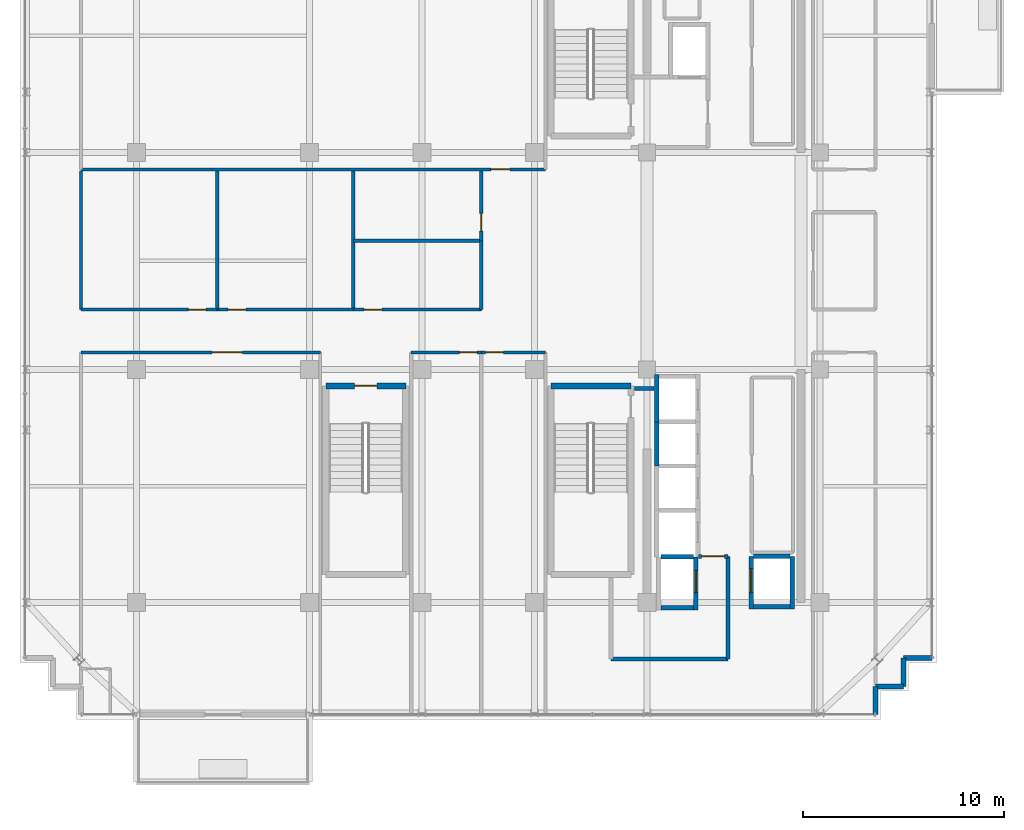
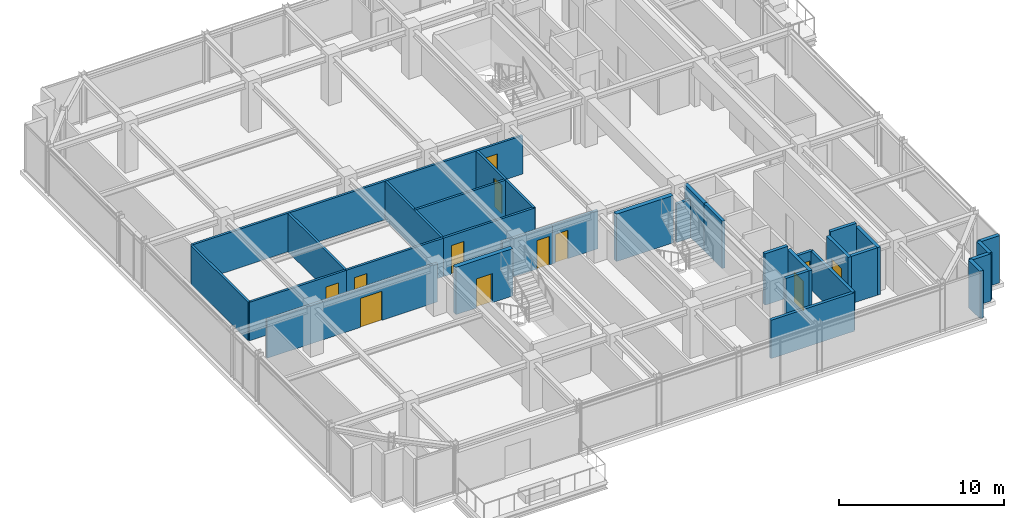
# One storey, part 27 of 32: 32 walls, 12 doors, 12 openings.
"""IFC4 building model written with IfcOpenShell, lengths in metres."""

from ifc_helpers import new_model, si_unit, direction, frame, frame_2d, origin, place, context, subcontext, project, spatial, rectangle, extrude, source, transform, mapped, material, layer, layer_set, type_object, element, fill, save


model = new_model("IFC4")

# Units and contexts
model_context = context("Model", 3, precision=1e-05, world=origin(), true_north=direction((0.0, 1.0)))
body_context = subcontext(model_context, "Body", "Model", "MODEL_VIEW")
ifc_project = project(units=[si_unit("LENGTHUNIT", "METRE"), si_unit("AREAUNIT", "SQUARE_METRE"), si_unit("VOLUMEUNIT", "CUBIC_METRE"), si_unit("PLANEANGLEUNIT", "RADIAN"), si_unit("MASSUNIT", "GRAM", prefix="KILO")], contexts=[model_context])

# Site, building, storey
site_placement = place(None, origin())
site = spatial("IfcSite", under=ifc_project, at=site_placement, CompositionType="ELEMENT")
building_placement = place(site_placement, origin())
building = spatial("IfcBuilding", under=site, at=building_placement, Name="Nahalor Promenade Grand Hotel", CompositionType="ELEMENT")
storey_placement = place(building_placement, frame((0.0, 0.0, 330.949951171875)))
storey = spatial("IfcBuildingStorey", under=building, at=storey_placement, Name="L85", CompositionType="ELEMENT", Elevation=330.949951171875)

# Wall
ifc_material_1 = material(Name="Concrete B-50 (C40/50)", Category="concrete")
ifc_layer_1 = layer(ifc_material_1, 0.300048828125)
ifc_layer_set_1 = layer_set([ifc_layer_1], Name="Concrete B-50 (C40/50)")
wall_type_1 = type_object("IfcWallType", Name="Wall-ShaftShear-300", PredefinedType="SHEAR", material=ifc_layer_set_1)
shared_shape_1 = source(origin(), body_context, "Body", "SweptSolid", [
    extrude(rectangle(XDim=3.97998046875, YDim=0.300048828125, at=frame_2d((1.989990234375, 0.0))), origin(), (0.0, 0.0, 1.0), 3.5),
])
wall_1_placement = place(storey_placement, frame((3.610107421875, -6.2099609375, 0.0), z_axis=(0.0, 0.0, 1.0), x_axis=(1.0, 0.0, 0.0)))
element("IfcWall", 1, at=wall_1_placement, inside=storey, type_object=wall_type_1, Name="L85 Exit Stair ST2 Shaft Wall N", PredefinedType="SHEAR", context=body_context, shape_type="MappedRepresentation", body=[
    mapped(shared_shape_1, transform((0.0, 0.0, 0.0), scale=1.0)),
])

# Wall, opening, door
wall_2_placement = place(storey_placement, frame((-7.590087890625, -6.2099609375, 0.0), z_axis=(0.0, 0.0, 1.0), x_axis=(1.0, 0.0, 0.0)))
wall_2 = element("IfcWall", 2, at=wall_2_placement, inside=storey, type_object=wall_type_1, Name="L85 Exit Stair ST3 Shaft Wall N", PredefinedType="SHEAR", context=body_context, shape_type="MappedRepresentation", body=[
    mapped(shared_shape_1, transform((0.0, 0.0, 0.0), scale=1.0)),
])
opening_1_placement = place(wall_2_placement, frame((1.43994140625, 0.0, 0.0)))
opening_1 = element("IfcOpeningElement", 3, at=opening_1_placement, cuts=wall_2, Name="Opening D-ST1", PredefinedType="OPENING", context=body_context, shape_type="SweptSolid", body=[
    extrude(rectangle(XDim=1.10009765625, YDim=2.14990234375, at=frame_2d((0.550048828125, 1.074951171875))), frame((0.0, 0.159912109375, 0.0), z_axis=(0.0, -1.0, 0.0), x_axis=(1.0, 0.0, 0.0)), (0.0, 0.0, 1.0), 0.320068359375),
])
ifc_material_2 = material(Name="Steel S355JR", Category="steel")
door_type_1 = type_object("IfcDoorType", Name="Door-StairFire-1100", OperationType="NOTDEFINED", PredefinedType="DOOR", material=ifc_material_2)
shared_shape_2 = source(origin(), body_context, "Body", "SweptSolid", [
    extrude(rectangle(XDim=1.10009765625, YDim=2.14990234375, at=frame_2d((0.550048828125, 1.074951171875))), frame((0.0, 0.02490234375, 0.0), z_axis=(0.0, -1.0, 0.0), x_axis=(1.0, 0.0, 0.0)), (0.0, 0.0, 1.0), 0.050048828125),
])
door_1_placement = place(opening_1_placement, frame((1.10009765625, 0.0, 0.0), z_axis=(0.0, 0.0, 1.0), x_axis=(-1.0, 0.0, 0.0)))
door_1 = element("IfcDoor", 4, at=door_1_placement, inside=storey, type_object=door_type_1, Name="DR-STAIR-ST3-L85", OperationType="SINGLE_SWING_RIGHT", OverallHeight=2.14990234375, OverallWidth=1.10009765625, PredefinedType="DOOR", context=body_context, shape_type="MappedRepresentation", body=[
    mapped(shared_shape_2, transform((0.0, 0.0, 0.0), scale=1.0)),
])
fill(opening_1, door_1)

# Walls
ifc_layer_2 = layer(ifc_material_1, 0.219970703125)
ifc_layer_set_2 = layer_set([ifc_layer_2], Name="Concrete B-50 (C40/50)")
wall_type_2 = type_object("IfcWallType", Name="Wall-LiftShaft-220", PredefinedType="SHEAR", material=ifc_layer_set_2)
shared_shape_3 = source(origin(), body_context, "Body", "SweptSolid", [
    extrude(rectangle(XDim=2.360107421875, YDim=0.219970703125, at=frame_2d((1.18017578125, 0.0))), origin(), (0.0, 0.0, 1.0), 3.5),
])
wall_3_placement = place(storey_placement, frame((8.8798828125, -8.0, 0.0), z_axis=(0.0, 0.0, 1.0), x_axis=(0.0, 1.0, 0.0)))
element("IfcWall", 5, at=wall_3_placement, inside=storey, type_object=wall_type_2, Name="L85 Lift PL9 Hoistway Wall W", PredefinedType="SHEAR", context=body_context, shape_type="MappedRepresentation", body=[
    mapped(shared_shape_3, transform((0.0, 0.0, 0.0), scale=1.0)),
])
shared_shape_4 = source(origin(), body_context, "Body", "SweptSolid", [
    extrude(rectangle(XDim=1.820068359375, YDim=0.219970703125, at=frame_2d((0.91015625, 0.0))), origin(), (0.0, 0.0, 1.0), 3.5),
])
wall_4_placement = place(storey_placement, frame((13.68994140625, -17.199951171875, 0.0), z_axis=(0.0, 0.0, 1.0), x_axis=(1.0, 0.0, 0.0)))
element("IfcWall", 6, at=wall_4_placement, inside=storey, type_object=wall_type_2, Name="L85 Lift SV2 Hoistway Wall S", PredefinedType="SHEAR", context=body_context, shape_type="MappedRepresentation", body=[
    mapped(shared_shape_4, transform((0.0, 0.0, 0.0), scale=1.0)),
])
shared_shape_5 = source(origin(), body_context, "Body", "SweptSolid", [
    extrude(rectangle(XDim=2.199951171875, YDim=0.219970703125, at=frame_2d((1.10009765625, 0.0))), origin(), (0.0, 0.0, 1.0), 3.5),
])
wall_5_placement = place(storey_placement, frame((8.8798828125, -10.199951171875, 0.0), z_axis=(0.0, 0.0, 1.0), x_axis=(0.0, 1.0, 0.0)))
element("IfcWall", 7, at=wall_5_placement, inside=storey, type_object=wall_type_2, Name="L85 Lift PL10 Hoistway Wall W", PredefinedType="SHEAR", context=body_context, shape_type="MappedRepresentation", body=[
    mapped(shared_shape_5, transform((0.0, 0.0, 0.0), scale=1.0)),
])
shared_shape_6 = source(origin(), body_context, "Body", "SweptSolid", [
    extrude(rectangle(XDim=1.820068359375, YDim=0.219970703125, at=frame_2d((0.91015625, 0.0))), origin(), (0.0, 0.0, 1.0), 3.800048828125),
])
wall_6_placement = place(storey_placement, frame((13.68994140625, -14.699951171875, 0.0), z_axis=(0.0, 0.0, 1.0), x_axis=(1.0, 0.0, 0.0)))
element("IfcWall", 8, at=wall_6_placement, inside=storey, type_object=wall_type_2, Name="L85 Lift SV2 Hoistway Wall N", PredefinedType="SHEAR", context=body_context, shape_type="MappedRepresentation", body=[
    mapped(shared_shape_6, transform((0.0, 0.0, 0.0), scale=1.0)),
])

# Wall, opening, door
shared_shape_7 = source(origin(), body_context, "Body", "SweptSolid", [
    extrude(rectangle(XDim=2.635009765625, YDim=0.219970703125, at=frame_2d((1.3173828125, 0.0))), origin(), (0.0, 0.0, 1.0), 3.5),
])
wall_7_placement = place(storey_placement, frame((10.820068359375, -17.360107421875, 0.0), z_axis=(0.0, 0.0, 1.0), x_axis=(0.0, 1.0, 0.0)))
wall_7 = element("IfcWall", 9, at=wall_7_placement, inside=storey, type_object=wall_type_2, Name="L85 Lift FL2 Hoistway Wall E", PredefinedType="SHEAR", context=body_context, shape_type="MappedRepresentation", body=[
    mapped(shared_shape_7, transform((0.0, 0.0, 0.0), scale=1.0)),
])
opening_2_placement = place(wall_7_placement, frame((0.860107421875, 0.0, 0.0)))
opening_2 = element("IfcOpeningElement", 10, at=opening_2_placement, cuts=wall_7, Name="Opening LD-02", PredefinedType="OPENING", context=body_context, shape_type="SweptSolid", body=[
    extrude(rectangle(XDim=1.10009765625, YDim=2.199951171875, at=frame_2d((0.550048828125, 1.10009765625))), frame((0.0, 0.119873046875, 0.0), z_axis=(0.0, -1.0, 0.0), x_axis=(1.0, 0.0, 0.0)), (0.0, 0.0, 1.0), 0.239990234375),
])
door_type_2 = type_object("IfcDoorType", Name="Door-LiftFF-1100", OperationType="DOUBLE_DOOR_SLIDING", PredefinedType="DOOR", material=ifc_material_2)
shared_shape_8 = source(origin(), body_context, "Body", "SweptSolid", [
    extrude(rectangle(XDim=1.10009765625, YDim=2.199951171875, at=frame_2d((0.550048828125, 1.10009765625))), frame((0.0, 0.02490234375, 0.0), z_axis=(0.0, -1.0, 0.0), x_axis=(1.0, 0.0, 0.0)), (0.0, 0.0, 1.0), 0.050048828125),
])
door_2_placement = place(opening_2_placement, frame((1.10009765625, 0.0, 0.0), z_axis=(0.0, 0.0, 1.0), x_axis=(-1.0, 0.0, 0.0)))
door_2 = element("IfcDoor", 11, at=door_2_placement, inside=storey, type_object=door_type_2, Name="DR-LIFT-FL2-L85", OperationType="DOUBLE_DOOR_SLIDING", OverallHeight=2.199951171875, OverallWidth=1.10009765625, PredefinedType="DOOR", context=body_context, shape_type="MappedRepresentation", body=[
    mapped(shared_shape_8, transform((0.0, 0.0, 0.0), scale=1.0)),
])
fill(opening_2, door_2)

# Walls
shared_shape_9 = source(origin(), body_context, "Body", "SweptSolid", [
    extrude(rectangle(XDim=1.619873046875, YDim=0.219970703125, at=frame_2d((0.81005859375, 0.0))), origin(), (0.0, 0.0, 1.0), 3.5),
])
wall_8_placement = place(storey_placement, frame((9.090087890625, -17.25, 0.0), z_axis=(0.0, 0.0, 1.0), x_axis=(1.0, 0.0, 0.0)))
element("IfcWall", 12, at=wall_8_placement, inside=storey, type_object=wall_type_2, Name="L85 Lift FL2 Hoistway Wall S", PredefinedType="SHEAR", context=body_context, shape_type="MappedRepresentation", body=[
    mapped(shared_shape_9, transform((0.0, 0.0, 0.0), scale=1.0)),
])
shared_shape_10 = source(origin(), body_context, "Body", "SweptSolid", [
    extrude(rectangle(XDim=1.619873046875, YDim=0.219970703125, at=frame_2d((0.81005859375, 0.0))), origin(), (0.0, 0.0, 1.0), 3.800048828125),
])
wall_9_placement = place(storey_placement, frame((9.090087890625, -14.72509765625, 0.0), z_axis=(0.0, 0.0, 1.0), x_axis=(1.0, 0.0, 0.0)))
element("IfcWall", 13, at=wall_9_placement, inside=storey, type_object=wall_type_2, Name="L85 Lift FL2 Hoistway Wall N", PredefinedType="SHEAR", context=body_context, shape_type="MappedRepresentation", body=[
    mapped(shared_shape_10, transform((0.0, 0.0, 0.0), scale=1.0)),
])

# Wall, opening, door
shared_shape_11 = source(origin(), body_context, "Body", "SweptSolid", [
    extrude(rectangle(XDim=2.610107421875, YDim=0.219970703125, at=frame_2d((1.30517578125, 0.0))), origin(), (0.0, 0.0, 1.0), 3.5),
])
wall_10_placement = place(storey_placement, frame((13.580078125, -17.31005859375, 0.0), z_axis=(0.0, 0.0, 1.0), x_axis=(0.0, 1.0, 0.0)))
wall_10 = element("IfcWall", 14, at=wall_10_placement, inside=storey, type_object=wall_type_2, Name="L85 Lift SV2 Hoistway Wall W", PredefinedType="SHEAR", context=body_context, shape_type="MappedRepresentation", body=[
    mapped(shared_shape_11, transform((0.0, 0.0, 0.0), scale=1.0)),
])
opening_3_placement = place(wall_10_placement, frame((0.81005859375, 0.0, 0.0)))
opening_3 = element("IfcOpeningElement", 15, at=opening_3_placement, cuts=wall_10, Name="Opening LD-03", PredefinedType="OPENING", context=body_context, shape_type="SweptSolid", body=[
    extrude(rectangle(XDim=1.199951171875, YDim=2.199951171875, at=frame_2d((0.60009765625, 1.10009765625))), frame((0.0, 0.119873046875, 0.0), z_axis=(0.0, -1.0, 0.0), x_axis=(1.0, 0.0, 0.0)), (0.0, 0.0, 1.0), 0.239990234375),
])
door_type_3 = type_object("IfcDoorType", Name="Door-LiftService-1200", OperationType="DOUBLE_DOOR_SLIDING", PredefinedType="DOOR", material=ifc_material_2)
shared_shape_12 = source(origin(), body_context, "Body", "SweptSolid", [
    extrude(rectangle(XDim=1.199951171875, YDim=2.199951171875, at=frame_2d((0.60009765625, 1.10009765625))), frame((0.0, 0.02490234375, 0.0), z_axis=(0.0, -1.0, 0.0), x_axis=(1.0, 0.0, 0.0)), (0.0, 0.0, 1.0), 0.050048828125),
])
door_3_placement = place(opening_3_placement, origin())
door_3 = element("IfcDoor", 16, at=door_3_placement, inside=storey, type_object=door_type_3, Name="DR-LIFT-SV2-L85", OperationType="DOUBLE_DOOR_SLIDING", OverallHeight=2.199951171875, OverallWidth=1.199951171875, PredefinedType="DOOR", context=body_context, shape_type="MappedRepresentation", body=[
    mapped(shared_shape_12, transform((0.0, 0.0, 0.0), scale=1.0)),
])
fill(opening_3, door_3)

# Walls
wall_11_placement = place(storey_placement, frame((15.6201171875, -17.31005859375, 0.0), z_axis=(0.0, 0.0, 1.0), x_axis=(0.0, 1.0, 0.0)))
element("IfcWall", 17, at=wall_11_placement, inside=storey, type_object=wall_type_2, Name="L85 Lift SV2 Hoistway Wall E", PredefinedType="SHEAR", context=body_context, shape_type="MappedRepresentation", body=[
    mapped(shared_shape_11, transform((0.0, 0.0, 0.0), scale=1.0)),
])
ifc_material_3 = material(Name="Concrete B-40 (C32/40)", Category="concrete")
ifc_layer_3 = layer(ifc_material_3, 0.25)
ifc_layer_set_3 = layer_set([ifc_layer_3], Name="Concrete B-40 (C32/40)")
wall_type_3 = type_object("IfcWallType", Name="Wall-BronzePier-250", PredefinedType="STANDARD", material=ifc_layer_set_3)
shared_shape_13 = source(origin(), body_context, "Body", "SweptSolid", [
    extrude(rectangle(XDim=1.400146484375, YDim=0.25, at=frame_2d((0.7001953125, 0.0))), origin(), (0.0, 0.0, 1.0), 3.5),
])
for number, where, z_axis, x_axis, name in (
    (18, (19.760009765625, -22.56005859375, 0.0), (0.0, 0.0, 1.0), (0.0, 1.0, 0.0), "W-L85-SR-01"),
    (19, (21.159912109375, -19.760009765625, 0.0), (0.0, 0.0, 1.0), (1.0, 0.0, 0.0), "W-L85-SR-04"),
):
    element("IfcWall", number, at=place(storey_placement, frame(where, z_axis=z_axis, x_axis=x_axis)), inside=storey, type_object=wall_type_3, Name=name, PredefinedType="STANDARD", context=body_context, shape_type="MappedRepresentation", body=[
        mapped(shared_shape_13, transform((0.0, 0.0, 0.0), scale=1.0)),
    ])
shared_shape_14 = source(origin(), body_context, "Body", "SweptSolid", [
    extrude(rectangle(XDim=1.39990234375, YDim=0.25, at=frame_2d((0.699951171875, 0.0))), origin(), (0.0, 0.0, 1.0), 3.5),
])
for number, where, z_axis, x_axis, name in (
    (20, (19.760009765625, -21.159912109375, 0.0), (0.0, 0.0, 1.0), (1.0, 0.0, 0.0), "W-L85-SR-02"),
    (21, (21.159912109375, -21.159912109375, 0.0), (0.0, 0.0, 1.0), (0.0, 1.0, 0.0), "W-L85-SR-03"),
):
    element("IfcWall", number, at=place(storey_placement, frame(where, z_axis=z_axis, x_axis=x_axis)), inside=storey, type_object=wall_type_3, Name=name, PredefinedType="STANDARD", context=body_context, shape_type="MappedRepresentation", body=[
        mapped(shared_shape_14, transform((0.0, 0.0, 0.0), scale=1.0)),
    ])
ifc_layer_4 = layer(ifc_material_3, 0.199951171875)
ifc_layer_set_4 = layer_set([ifc_layer_4], Name="Concrete B-40 (C32/40)")
wall_type_4 = type_object("IfcWallType", Name="Wall-PartFire-200", PredefinedType="PARTITIONING", material=ifc_layer_set_4)
shared_shape_15 = source(origin(), body_context, "Body", "SweptSolid", [
    extrude(rectangle(XDim=5.81982421875, YDim=0.199951171875, at=frame_2d((2.909912109375, 0.0))), origin(), (0.0, 0.0, 1.0), 2.840087890625),
])
wall_12_placement = place(storey_placement, frame((6.60009765625, -19.800048828125, 0.0), z_axis=(0.0, 0.0, 1.0), x_axis=(1.0, 0.0, 0.0)))
element("IfcWall", 22, at=wall_12_placement, inside=storey, type_object=wall_type_4, Name="W-L85-FF2-S1", PredefinedType="PARTITIONING", context=body_context, shape_type="MappedRepresentation", body=[
    mapped(shared_shape_15, transform((0.0, 0.0, 0.0), scale=1.0)),
])
shared_shape_16 = source(origin(), body_context, "Body", "SweptSolid", [
    extrude(rectangle(XDim=5.10009765625, YDim=0.199951171875, at=frame_2d((2.550048828125, 0.0))), origin(), (0.0, 0.0, 1.0), 2.840087890625),
])
wall_13_placement = place(storey_placement, frame((12.419921875, -19.800048828125, 0.0), z_axis=(0.0, 0.0, 1.0), x_axis=(0.0, 1.0, 0.0)))
element("IfcWall", 23, at=wall_13_placement, inside=storey, type_object=wall_type_4, Name="W-L85-FF2-E", PredefinedType="PARTITIONING", context=body_context, shape_type="MappedRepresentation", body=[
    mapped(shared_shape_16, transform((0.0, 0.0, 0.0), scale=1.0)),
])

# Wall, opening, door
shared_shape_17 = source(origin(), body_context, "Body", "SweptSolid", [
    extrude(rectangle(XDim=1.4599609375, YDim=0.199951171875, at=frame_2d((0.72998046875, 0.0))), origin(), (0.0, 0.0, 1.0), 2.840087890625),
])
wall_14_placement = place(storey_placement, frame((10.9599609375, -14.699951171875, 0.0), z_axis=(0.0, 0.0, 1.0), x_axis=(1.0, 0.0, 0.0)))
wall_14 = element("IfcWall", 24, at=wall_14_placement, inside=storey, type_object=wall_type_4, Name="W-L85-FF2-N1", PredefinedType="PARTITIONING", context=body_context, shape_type="MappedRepresentation", body=[
    mapped(shared_shape_17, transform((0.0, 0.0, 0.0), scale=1.0)),
])
opening_4_placement = place(wall_14_placement, frame((0.14501953125, 0.0, 0.0)))
opening_4 = element("IfcOpeningElement", 25, at=opening_4_placement, cuts=wall_14, Name="Opening D-FF1", PredefinedType="OPENING", context=body_context, shape_type="SweptSolid", body=[
    extrude(rectangle(XDim=1.14990234375, YDim=2.14990234375, at=frame_2d((0.574951171875, 1.074951171875))), frame((0.0, 0.10986328125, 0.0), z_axis=(0.0, -1.0, 0.0), x_axis=(1.0, 0.0, 0.0)), (0.0, 0.0, 1.0), 0.219970703125),
])
door_type_4 = type_object("IfcDoorType", Name="Door-FFLobby-1150", OperationType="NOTDEFINED", PredefinedType="DOOR", material=ifc_material_2)
shared_shape_18 = source(origin(), body_context, "Body", "SweptSolid", [
    extrude(rectangle(XDim=1.14990234375, YDim=2.14990234375, at=frame_2d((0.574951171875, 1.074951171875))), frame((0.0, 0.02490234375, 0.0), z_axis=(0.0, -1.0, 0.0), x_axis=(1.0, 0.0, 0.0)), (0.0, 0.0, 1.0), 0.050048828125),
])
door_4_placement = place(opening_4_placement, origin())
door_4 = element("IfcDoor", 26, at=door_4_placement, inside=storey, type_object=door_type_4, Name="DR-L85-FFL2", OperationType="SINGLE_SWING_LEFT", OverallHeight=2.14990234375, OverallWidth=1.14990234375, PredefinedType="DOOR", context=body_context, shape_type="MappedRepresentation", body=[
    mapped(shared_shape_18, transform((0.0, 0.0, 0.0), scale=1.0)),
])
fill(opening_4, door_4)

# Wall
shared_shape_19 = source(origin(), body_context, "Body", "SweptSolid", [
    extrude(rectangle(XDim=0.969970703125, YDim=0.199951171875, at=frame_2d((0.48486328125, 0.0))), origin(), (0.0, 0.0, 1.0), 2.840087890625),
])
wall_15_placement = place(storey_placement, frame((7.77001953125, -6.35009765625, 0.0), z_axis=(0.0, 0.0, 1.0), x_axis=(1.0, 0.0, 0.0)))
element("IfcWall", 27, at=wall_15_placement, inside=storey, type_object=wall_type_4, Name="W-L85-FF2-N2", PredefinedType="PARTITIONING", context=body_context, shape_type="MappedRepresentation", body=[
    mapped(shared_shape_19, transform((0.0, 0.0, 0.0), scale=1.0)),
])

# Wall, opening, door
ifc_material_4 = material(Name="Acoustic Mineral Gypsum", Category="gypsum")
ifc_layer_5 = layer(ifc_material_4, 0.159912109375)
ifc_layer_set_5 = layer_set([ifc_layer_5], Name="Acoustic Mineral Gypsum")
wall_type_5 = type_object("IfcWallType", Name="Wall-PartCorridor-160", PredefinedType="PARTITIONING", material=ifc_layer_set_5)
shared_shape_20 = source(origin(), body_context, "Body", "SweptSolid", [
    extrude(rectangle(XDim=23.10009765625, YDim=0.159912109375, at=frame_2d((11.550048828125, 0.0))), origin(), (0.0, 0.0, 1.0), 2.840087890625),
])
wall_16_placement = place(storey_placement, frame((-19.760009765625, 4.550048828125, 0.0), z_axis=(0.0, 0.0, 1.0), x_axis=(1.0, 0.0, 0.0)))
wall_16 = element("IfcWall", 28, at=wall_16_placement, inside=storey, type_object=wall_type_5, Name="W-L85-CORR-N", PredefinedType="PARTITIONING", context=body_context, shape_type="MappedRepresentation", body=[
    mapped(shared_shape_20, transform((0.0, 0.0, 0.0), scale=1.0)),
])
opening_5_placement = place(wall_16_placement, frame((20.385009765625, 0.0, 0.0)))
opening_5 = element("IfcOpeningElement", 29, at=opening_5_placement, cuts=wall_16, Name="Opening D-01", PredefinedType="OPENING", context=body_context, shape_type="SweptSolid", body=[
    extrude(rectangle(XDim=0.949951171875, YDim=2.10009765625, at=frame_2d((0.47509765625, 1.050048828125))), frame((0.0, 0.08984375, 0.0), z_axis=(0.0, -1.0, 0.0), x_axis=(1.0, 0.0, 0.0)), (0.0, 0.0, 1.0), 0.179931640625),
])
ifc_material_5 = material(Name="Fire-Rated Timber Composite", Category="wood")
door_type_5 = type_object("IfcDoorType", Name="Door-GuestEntry-950", OperationType="NOTDEFINED", PredefinedType="DOOR", material=ifc_material_5)
shared_shape_21 = source(origin(), body_context, "Body", "SweptSolid", [
    extrude(rectangle(XDim=0.949951171875, YDim=2.10009765625, at=frame_2d((0.47509765625, 1.050048828125))), frame((0.0, 0.02490234375, 0.0), z_axis=(0.0, -1.0, 0.0), x_axis=(1.0, 0.0, 0.0)), (0.0, 0.0, 1.0), 0.050048828125),
])
door_5_placement = place(opening_5_placement, origin())
door_5 = element("IfcDoor", 30, at=door_5_placement, inside=storey, type_object=door_type_5, Name="DR-L85-N1-ENT", OperationType="SINGLE_SWING_RIGHT", OverallHeight=2.10009765625, OverallWidth=0.949951171875, PredefinedType="DOOR", context=body_context, shape_type="MappedRepresentation", body=[
    mapped(shared_shape_21, transform((0.0, 0.0, 0.0), scale=1.0)),
])
fill(opening_5, door_5)

shared_shape_22 = source(origin(), body_context, "Body", "SweptSolid", [
    extrude(rectangle(XDim=11.89990234375, YDim=0.159912109375, at=frame_2d((5.949951171875, 0.0))), origin(), (0.0, 0.0, 1.0), 2.840087890625),
])
wall_17_placement = place(storey_placement, frame((-19.760009765625, -4.550048828125, 0.0), z_axis=(0.0, 0.0, 1.0), x_axis=(1.0, 0.0, 0.0)))
wall_17 = element("IfcWall", 31, at=wall_17_placement, inside=storey, type_object=wall_type_5, Name="W-L85-CORR-S", PredefinedType="PARTITIONING", context=body_context, shape_type="MappedRepresentation", body=[
    mapped(shared_shape_22, transform((0.0, 0.0, 0.0), scale=1.0)),
])
opening_6_placement = place(wall_17_placement, frame((6.52294921875, 0.0, 0.0)))
opening_6 = element("IfcOpeningElement", 32, at=opening_6_placement, cuts=wall_17, Name="Opening D-02", PredefinedType="OPENING", context=body_context, shape_type="SweptSolid", body=[
    extrude(rectangle(XDim=1.5, YDim=2.14990234375, at=frame_2d((0.75, 1.074951171875))), frame((0.0, 0.08984375, 0.0), z_axis=(0.0, -1.0, 0.0), x_axis=(1.0, 0.0, 0.0)), (0.0, 0.0, 1.0), 0.179931640625),
])
door_type_6 = type_object("IfcDoorType", Name="Door-SuiteDouble-1500", OperationType="DOUBLE_DOOR_SINGLE_SWING", PredefinedType="DOOR", material=ifc_material_5)
shared_shape_23 = source(origin(), body_context, "Body", "SweptSolid", [
    extrude(rectangle(XDim=1.5, YDim=2.14990234375, at=frame_2d((0.75, 1.074951171875))), frame((0.0, 0.02490234375, 0.0), z_axis=(0.0, -1.0, 0.0), x_axis=(1.0, 0.0, 0.0)), (0.0, 0.0, 1.0), 0.050048828125),
])
door_6_placement = place(opening_6_placement, frame((1.5, 0.0, 0.0), z_axis=(0.0, 0.0, 1.0), x_axis=(-1.0, 0.0, 0.0)))
door_6 = element("IfcDoor", 33, at=door_6_placement, inside=storey, type_object=door_type_6, Name="DR-L85-S1-ENT", OperationType="DOUBLE_DOOR_SINGLE_SWING", OverallHeight=2.14990234375, OverallWidth=1.5, PredefinedType="DOOR", context=body_context, shape_type="MappedRepresentation", body=[
    mapped(shared_shape_23, transform((0.0, 0.0, 0.0), scale=1.0)),
])
fill(opening_6, door_6)

shared_shape_24 = source(origin(), body_context, "Body", "SweptSolid", [
    extrude(rectangle(XDim=3.489990234375, YDim=0.159912109375, at=frame_2d((1.7451171875, 0.0))), origin(), (0.0, 0.0, 1.0), 2.840087890625),
])
wall_18_placement = place(storey_placement, frame((-3.340087890625, -4.550048828125, 0.0), z_axis=(0.0, 0.0, 1.0), x_axis=(1.0, 0.0, 0.0)))
wall_18 = element("IfcWall", 34, at=wall_18_placement, inside=storey, type_object=wall_type_5, Name="W-L85-SCB1-N", PredefinedType="PARTITIONING", context=body_context, shape_type="MappedRepresentation", body=[
    mapped(shared_shape_24, transform((0.0, 0.0, 0.0), scale=1.0)),
])
opening_7_placement = place(wall_18_placement, frame((2.39990234375, 0.0, 0.0)))
opening_7 = element("IfcOpeningElement", 35, at=opening_7_placement, cuts=wall_18, Name="Opening D-03", PredefinedType="OPENING", context=body_context, shape_type="SweptSolid", body=[
    extrude(rectangle(XDim=0.8798828125, YDim=2.10009765625, at=frame_2d((0.43994140625, 1.050048828125))), frame((0.0, 0.08984375, 0.0), z_axis=(0.0, -1.0, 0.0), x_axis=(1.0, 0.0, 0.0)), (0.0, 0.0, 1.0), 0.179931640625),
])
door_type_7 = type_object("IfcDoorType", Name="Door-BathSwing-880", OperationType="NOTDEFINED", PredefinedType="DOOR", material=ifc_material_5)
shared_shape_25 = source(origin(), body_context, "Body", "SweptSolid", [
    extrude(rectangle(XDim=0.8798828125, YDim=2.10009765625, at=frame_2d((0.43994140625, 1.050048828125))), frame((0.0, 0.02490234375, 0.0), z_axis=(0.0, -1.0, 0.0), x_axis=(1.0, 0.0, 0.0)), (0.0, 0.0, 1.0), 0.050048828125),
])
door_7_placement = place(opening_7_placement, frame((0.8798828125, 0.0, 0.0), z_axis=(0.0, 0.0, 1.0), x_axis=(-1.0, 0.0, 0.0)))
door_7 = element("IfcDoor", 36, at=door_7_placement, inside=storey, type_object=door_type_7, Name="DR-L85-SCB1", OperationType="SINGLE_SWING_RIGHT", OverallHeight=2.10009765625, OverallWidth=0.8798828125, PredefinedType="DOOR", context=body_context, shape_type="MappedRepresentation", body=[
    mapped(shared_shape_25, transform((0.0, 0.0, 0.0), scale=1.0)),
])
fill(opening_7, door_7)

shared_shape_26 = source(origin(), body_context, "Body", "SweptSolid", [
    extrude(rectangle(XDim=3.190185546875, YDim=0.159912109375, at=frame_2d((1.59521484375, 0.0))), origin(), (0.0, 0.0, 1.0), 2.840087890625),
])
wall_19_placement = place(storey_placement, frame((0.14990234375, -4.550048828125, 0.0), z_axis=(0.0, 0.0, 1.0), x_axis=(1.0, 0.0, 0.0)))
wall_19 = element("IfcWall", 37, at=wall_19_placement, inside=storey, type_object=wall_type_5, Name="W-L85-SCB2-N", PredefinedType="PARTITIONING", context=body_context, shape_type="MappedRepresentation", body=[
    mapped(shared_shape_26, transform((0.0, 0.0, 0.0), scale=1.0)),
])
opening_8_placement = place(wall_19_placement, frame((0.2099609375, 0.0, 0.0)))
opening_8 = element("IfcOpeningElement", 38, at=opening_8_placement, cuts=wall_19, Name="Opening D-03", PredefinedType="OPENING", context=body_context, shape_type="SweptSolid", body=[
    extrude(rectangle(XDim=0.8798828125, YDim=2.10009765625, at=frame_2d((0.43994140625, 1.050048828125))), frame((0.0, 0.08984375, 0.0), z_axis=(0.0, -1.0, 0.0), x_axis=(1.0, 0.0, 0.0)), (0.0, 0.0, 1.0), 0.179931640625),
])
door_8_placement = place(opening_8_placement, frame((0.8798828125, 0.0, 0.0), z_axis=(0.0, 0.0, 1.0), x_axis=(-1.0, 0.0, 0.0)))
door_8 = element("IfcDoor", 39, at=door_8_placement, inside=storey, type_object=door_type_7, Name="DR-L85-SCB2", OperationType="SINGLE_SWING_LEFT", OverallHeight=2.10009765625, OverallWidth=0.8798828125, PredefinedType="DOOR", context=body_context, shape_type="MappedRepresentation", body=[
    mapped(shared_shape_25, transform((0.0, 0.0, 0.0), scale=1.0)),
])
fill(opening_8, door_8)

# Walls
shared_shape_27 = source(origin(), body_context, "Body", "SweptSolid", [
    extrude(rectangle(XDim=6.889892578125, YDim=0.159912109375, at=frame_2d((3.44482421875, 0.0))), origin(), (0.0, 0.0, 1.0), 2.840087890625),
])
for number, where, z_axis, x_axis, name in (
    (40, (-19.760009765625, -2.419921875, 0.0), (0.0, 0.0, 1.0), (0.0, 1.0, 0.0), "W-L85-ZW1-W"),
    (41, (-12.990966796875, -2.419921875, 0.0), (0.0, 0.0, 1.0), (0.0, 1.0, 0.0), "W-L85-ZW1-E"),
    (42, (-6.220947265625, -2.419921875, 0.0), (0.0, 0.0, 1.0), (0.0, 1.0, 0.0), "W-L85-ZW2-E"),
):
    element("IfcWall", number, at=place(storey_placement, frame(where, z_axis=z_axis, x_axis=x_axis)), inside=storey, type_object=wall_type_5, Name=name, PredefinedType="PARTITIONING", context=body_context, shape_type="MappedRepresentation", body=[
        mapped(shared_shape_27, transform((0.0, 0.0, 0.0), scale=1.0)),
    ])

# Wall, opening, door
shared_shape_28 = source(origin(), body_context, "Body", "SweptSolid", [
    extrude(rectangle(XDim=6.76904296875, YDim=0.159912109375, at=frame_2d((3.384521484375, 0.0))), origin(), (0.0, 0.0, 1.0), 2.840087890625),
])
wall_20_placement = place(storey_placement, frame((-19.760009765625, -2.419921875, 0.0), z_axis=(0.0, 0.0, 1.0), x_axis=(1.0, 0.0, 0.0)))
wall_20 = element("IfcWall", 43, at=wall_20_placement, inside=storey, type_object=wall_type_5, Name="W-L85-ZW1-S", PredefinedType="PARTITIONING", context=body_context, shape_type="MappedRepresentation", body=[
    mapped(shared_shape_28, transform((0.0, 0.0, 0.0), scale=1.0)),
])
opening_9_placement = place(wall_20_placement, frame((5.340087890625, 0.0, 0.0)))
opening_9 = element("IfcOpeningElement", 44, at=opening_9_placement, cuts=wall_20, Name="Opening D-03", PredefinedType="OPENING", context=body_context, shape_type="SweptSolid", body=[
    extrude(rectangle(XDim=0.8798828125, YDim=2.10009765625, at=frame_2d((0.43994140625, 1.050048828125))), frame((0.0, 0.08984375, 0.0), z_axis=(0.0, -1.0, 0.0), x_axis=(1.0, 0.0, 0.0)), (0.0, 0.0, 1.0), 0.179931640625),
])
door_9_placement = place(opening_9_placement, origin())
door_9 = element("IfcDoor", 45, at=door_9_placement, inside=storey, type_object=door_type_7, Name="DR-L85-ZW1", OperationType="SINGLE_SWING_RIGHT", OverallHeight=2.10009765625, OverallWidth=0.8798828125, PredefinedType="DOOR", context=body_context, shape_type="MappedRepresentation", body=[
    mapped(shared_shape_25, transform((0.0, 0.0, 0.0), scale=1.0)),
])
fill(opening_9, door_9)

shared_shape_29 = source(origin(), body_context, "Body", "SweptSolid", [
    extrude(rectangle(XDim=6.77001953125, YDim=0.159912109375, at=frame_2d((3.385009765625, 0.0))), origin(), (0.0, 0.0, 1.0), 2.840087890625),
])
wall_21_placement = place(storey_placement, frame((-12.990966796875, -2.419921875, 0.0), z_axis=(0.0, 0.0, 1.0), x_axis=(1.0, 0.0, 0.0)))
wall_21 = element("IfcWall", 46, at=wall_21_placement, inside=storey, type_object=wall_type_5, Name="W-L85-ZW2-S", PredefinedType="PARTITIONING", context=body_context, shape_type="MappedRepresentation", body=[
    mapped(shared_shape_29, transform((0.0, 0.0, 0.0), scale=1.0)),
])
opening_10_placement = place(wall_21_placement, frame((0.549072265625, 0.0, 0.0)))
opening_10 = element("IfcOpeningElement", 47, at=opening_10_placement, cuts=wall_21, Name="Opening D-03", PredefinedType="OPENING", context=body_context, shape_type="SweptSolid", body=[
    extrude(rectangle(XDim=0.8798828125, YDim=2.10009765625, at=frame_2d((0.43994140625, 1.050048828125))), frame((0.0, 0.08984375, 0.0), z_axis=(0.0, -1.0, 0.0), x_axis=(1.0, 0.0, 0.0)), (0.0, 0.0, 1.0), 0.179931640625),
])
door_10_placement = place(opening_10_placement, origin())
door_10 = element("IfcDoor", 48, at=door_10_placement, inside=storey, type_object=door_type_7, Name="DR-L85-ZW2", OperationType="SINGLE_SWING_LEFT", OverallHeight=2.10009765625, OverallWidth=0.8798828125, PredefinedType="DOOR", context=body_context, shape_type="MappedRepresentation", body=[
    mapped(shared_shape_25, transform((0.0, 0.0, 0.0), scale=1.0)),
])
fill(opening_10, door_10)

shared_shape_30 = source(origin(), body_context, "Body", "SweptSolid", [
    extrude(rectangle(XDim=6.370849609375, YDim=0.159912109375, at=frame_2d((3.185546875, 0.0))), origin(), (0.0, 0.0, 1.0), 2.840087890625),
])
wall_22_placement = place(storey_placement, frame((-6.220947265625, -2.419921875, 0.0), z_axis=(0.0, 0.0, 1.0), x_axis=(1.0, 0.0, 0.0)))
wall_22 = element("IfcWall", 49, at=wall_22_placement, inside=storey, type_object=wall_type_5, Name="W-L85-ZW3-S", PredefinedType="PARTITIONING", context=body_context, shape_type="MappedRepresentation", body=[
    mapped(shared_shape_30, transform((0.0, 0.0, 0.0), scale=1.0)),
])
opening_11_placement = place(wall_22_placement, frame((0.5400390625, 0.0, 0.0)))
opening_11 = element("IfcOpeningElement", 50, at=opening_11_placement, cuts=wall_22, Name="Opening D-03", PredefinedType="OPENING", context=body_context, shape_type="SweptSolid", body=[
    extrude(rectangle(XDim=0.8798828125, YDim=2.10009765625, at=frame_2d((0.43994140625, 1.050048828125))), frame((0.0, 0.08984375, 0.0), z_axis=(0.0, -1.0, 0.0), x_axis=(1.0, 0.0, 0.0)), (0.0, 0.0, 1.0), 0.179931640625),
])
door_11_placement = place(opening_11_placement, origin())
door_11 = element("IfcDoor", 51, at=door_11_placement, inside=storey, type_object=door_type_7, Name="DR-L85-ZW3", OperationType="SINGLE_SWING_RIGHT", OverallHeight=2.10009765625, OverallWidth=0.8798828125, PredefinedType="DOOR", context=body_context, shape_type="MappedRepresentation", body=[
    mapped(shared_shape_25, transform((0.0, 0.0, 0.0), scale=1.0)),
])
fill(opening_11, door_11)

# Walls
wall_23_placement = place(storey_placement, frame((-6.220947265625, 1.0, 0.0), z_axis=(0.0, 0.0, 1.0), x_axis=(1.0, 0.0, 0.0)))
element("IfcWall", 52, at=wall_23_placement, inside=storey, type_object=wall_type_5, Name="W-L85-ZW3-N", PredefinedType="PARTITIONING", context=body_context, shape_type="MappedRepresentation", body=[
    mapped(shared_shape_30, transform((0.0, 0.0, 0.0), scale=1.0)),
])
shared_shape_31 = source(origin(), body_context, "Body", "SweptSolid", [
    extrude(rectangle(XDim=3.419921875, YDim=0.159912109375, at=frame_2d((1.7099609375, 0.0))), origin(), (0.0, 0.0, 1.0), 2.840087890625),
])
wall_24_placement = place(storey_placement, frame((0.14990234375, -2.419921875, 0.0), z_axis=(0.0, 0.0, 1.0), x_axis=(0.0, 1.0, 0.0)))
element("IfcWall", 53, at=wall_24_placement, inside=storey, type_object=wall_type_5, Name="W-L85-ZW3-E", PredefinedType="PARTITIONING", context=body_context, shape_type="MappedRepresentation", body=[
    mapped(shared_shape_31, transform((0.0, 0.0, 0.0), scale=1.0)),
])

# Wall, opening, door
shared_shape_32 = source(origin(), body_context, "Body", "SweptSolid", [
    extrude(rectangle(XDim=3.469970703125, YDim=0.159912109375, at=frame_2d((1.73486328125, 0.0))), origin(), (0.0, 0.0, 1.0), 2.840087890625),
])
wall_25_placement = place(storey_placement, frame((0.14990234375, 1.0, 0.0), z_axis=(0.0, 0.0, 1.0), x_axis=(0.0, 1.0, 0.0)))
wall_25 = element("IfcWall", 54, at=wall_25_placement, inside=storey, type_object=wall_type_5, Name="W-L85-ZW4-E", PredefinedType="PARTITIONING", context=body_context, shape_type="MappedRepresentation", body=[
    mapped(shared_shape_32, transform((0.0, 0.0, 0.0), scale=1.0)),
])
opening_12_placement = place(wall_25_placement, frame((0.48095703125, 0.0, 0.0)))
opening_12 = element("IfcOpeningElement", 55, at=opening_12_placement, cuts=wall_25, Name="Opening D-03", PredefinedType="OPENING", context=body_context, shape_type="SweptSolid", body=[
    extrude(rectangle(XDim=0.8798828125, YDim=2.10009765625, at=frame_2d((0.43994140625, 1.050048828125))), frame((0.0, 0.08984375, 0.0), z_axis=(0.0, -1.0, 0.0), x_axis=(1.0, 0.0, 0.0)), (0.0, 0.0, 1.0), 0.179931640625),
])
door_12_placement = place(opening_12_placement, origin())
door_12 = element("IfcDoor", 56, at=door_12_placement, inside=storey, type_object=door_type_7, Name="DR-L85-ZW4", OperationType="SINGLE_SWING_LEFT", OverallHeight=2.10009765625, OverallWidth=0.8798828125, PredefinedType="DOOR", context=body_context, shape_type="MappedRepresentation", body=[
    mapped(shared_shape_25, transform((0.0, 0.0, 0.0), scale=1.0)),
])
fill(opening_12, door_12)

save(model, "model.ifc")
